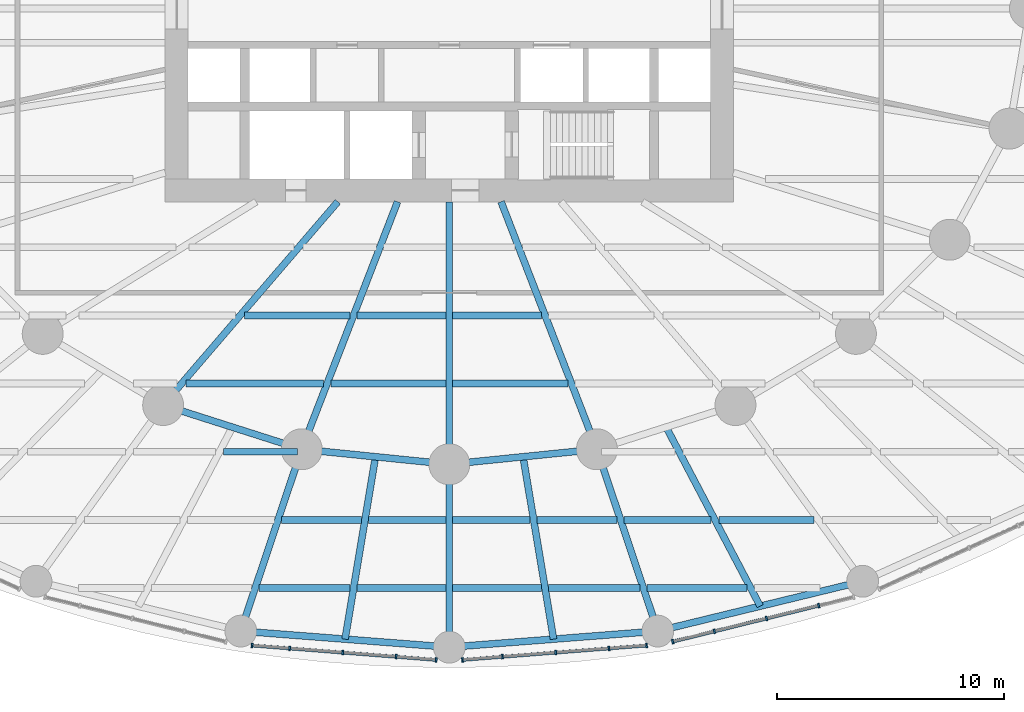
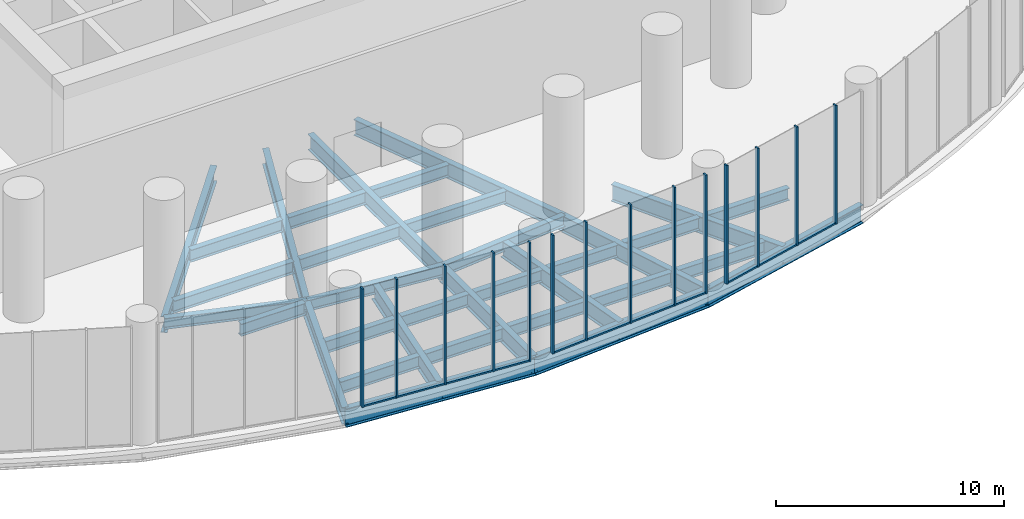
# One storey, part 4 of 22: 34 beams, 25 members, 3 elements without a shape of their own.
"""IFC4 building model written with IfcOpenShell, lengths in metres."""

from ifc_helpers import new_model, si_unit, direction, frame, origin, origin_2d, place, context, subcontext, project, spatial, rectangle, i_section, extrude, material, material_profile, profile_set, type_object, element, aggregate, save


model = new_model("IFC4")

# Units and contexts
model_context = context("Model", 3, precision=1e-05, world=origin(), true_north=direction((0.0, 1.0)))
body_context = subcontext(model_context, "Body", "Model", "MODEL_VIEW")
ifc_project = project(units=[si_unit("LENGTHUNIT", "METRE"), si_unit("AREAUNIT", "SQUARE_METRE"), si_unit("VOLUMEUNIT", "CUBIC_METRE"), si_unit("PLANEANGLEUNIT", "RADIAN"), si_unit("MASSUNIT", "GRAM", prefix="KILO")], contexts=[model_context])

# Site, building, storey
site_placement = place(None, origin())
site = spatial("IfcSite", under=ifc_project, at=site_placement, CompositionType="ELEMENT")
building_placement = place(site_placement, origin())
building = spatial("IfcBuilding", under=site, at=building_placement, Name="Hankou Lantern Tower", CompositionType="ELEMENT")
storey_placement = place(building_placement, frame((0.0, 0.0, 7.199951171875)))
storey = spatial("IfcBuildingStorey", under=building, at=storey_placement, Name="L01", CompositionType="ELEMENT", Elevation=7.199951171875)

# Beams
ifc_material_1 = material(Name="Steel Q355B", Category="steel")
ifc_material_profile_1 = material_profile(ifc_material_1, i_section(OverallWidth=0.300048828125, OverallDepth=0.587890625, WebThickness=0.011962890625, FlangeThickness=0.02001953125, FilletRadius=0.01806640625, at=origin_2d()), Name="HM588x300x12x20")
ifc_profile_set_1 = profile_set([ifc_material_profile_1], Name="Steel Q355B")
beam_type_1 = type_object("IfcBeamType", Name="EB16 RING BEAM HM588x300x12x20", PredefinedType="SPANDREL", material=ifc_profile_set_1)
beam_1_placement = place(storey_placement, frame((-12.5908203125, -17.446533203125, -0.5439453125), z_axis=(0.952690479428, -0.303942182671, 0.0), x_axis=(0.303942182671, 0.952690479428, 0.0)))
element("IfcBeam", 1, at=beam_1_placement, inside=storey, type_object=beam_type_1, Name="Ring beam R17-R18 L01", PredefinedType="SPANDREL", context=body_context, shape_type="SweptSolid", body=[
    extrude(i_section(OverallWidth=0.300048828125, OverallDepth=0.587890625, WebThickness=0.011962890625, FlangeThickness=0.02001953125, FilletRadius=0.01806640625, at=origin_2d()), origin(), (0.0, 0.0, 1.0), 6.398681640625),
])
for number, where, z_axis, x_axis, name in (
    (2, (-6.494873046875, -19.391357421875, -0.5439453125), (0.994896616842, -0.100899562915, 0.0), (0.100899562915, 0.994896616842, 0.0), "Ring beam R18-R19 L01"),
    (3, (0.0, -20.050048828125, -0.5439453125), (0.994896616842, 0.100899562915, 0.0), (-0.100899562915, 0.994896616842, 0.0), "Ring beam R19-R20 L01"),
):
    element("IfcBeam", number, at=place(storey_placement, frame(where, z_axis=z_axis, x_axis=x_axis)), inside=storey, type_object=beam_type_1, Name=name, PredefinedType="SPANDREL", context=body_context, shape_type="SweptSolid", body=[
        extrude(i_section(OverallWidth=0.300048828125, OverallDepth=0.587890625, WebThickness=0.011962890625, FlangeThickness=0.02001953125, FilletRadius=0.01806640625, at=origin_2d()), origin(), (0.0, 0.0, 1.0), 6.528076171875),
    ])

# Curtain wall, members
ifc_material_2 = material(Name="Glass, dark grey tinted laminated", Category="glass")
curtain_wall_type = type_object("IfcCurtainWallType", Name="CWP PODIUM CURTAIN WALL", PredefinedType="USERDEFINED", material=ifc_material_2)
curtain_wall_1_placement = place(storey_placement, origin())
curtain_wall_1 = element("IfcCurtainWall", 4, at=curtain_wall_1_placement, inside=storey, type_object=curtain_wall_type, Name="CWP L01 PC14", ObjectType="PODIUM GLAZING", PredefinedType="USERDEFINED")
ifc_material_3 = material(Name="Aluminium, black anodised", Category="aluminium")
ifc_material_profile_2 = material_profile(ifc_material_3, rectangle(XDim=0.080078125, YDim=0.199951171875, at=origin_2d()), Name="MU2 80X200")
ifc_profile_set_2 = profile_set([ifc_material_profile_2], Name="Aluminium, black anodised")
member_type_1 = type_object("IfcMemberType", Name="MU2 PODIUM MULLION 80X200", PredefinedType="MULLION", material=ifc_profile_set_2)
member_1_placement = place(storey_placement, frame((-8.678955078125, -28.0205078125, 0.0), z_axis=(0.0, 0.0, 1.0), x_axis=(0.996948515213, -0.078061885796, 0.0)))
member_1 = element("IfcMember", 5, at=member_1_placement, type_object=member_type_1, Name="CWP mullion 1", PredefinedType="MULLION", context=body_context, shape_type="SweptSolid", body=[
    extrude(rectangle(XDim=0.080078125, YDim=0.199951171875, at=origin_2d()), origin(), (0.0, 0.0, 1.0), 6.35009765625),
])
member_2_placement = place(storey_placement, frame((-7.025146484375, -28.14990234375, 0.0), z_axis=(0.0, 0.0, 1.0), x_axis=(0.996948515213, -0.078061885796, 0.0)))
member_2 = element("IfcMember", 6, at=member_2_placement, type_object=member_type_1, Name="CWP mullion 2", PredefinedType="MULLION", context=body_context, shape_type="SweptSolid", body=[
    extrude(rectangle(XDim=0.080078125, YDim=0.199951171875, at=origin_2d()), origin(), (0.0, 0.0, 1.0), 6.35009765625),
])
member_3_placement = place(storey_placement, frame((-4.68359375, -28.333251953125, 0.0), z_axis=(0.0, 0.0, 1.0), x_axis=(0.996948515213, -0.078061885796, 0.0)))
member_3 = element("IfcMember", 7, at=member_3_placement, type_object=member_type_1, Name="CWP mullion 3", PredefinedType="MULLION", context=body_context, shape_type="SweptSolid", body=[
    extrude(rectangle(XDim=0.080078125, YDim=0.199951171875, at=origin_2d()), origin(), (0.0, 0.0, 1.0), 6.35009765625),
])
member_4_placement = place(storey_placement, frame((-2.341796875, -28.5166015625, 0.0), z_axis=(0.0, 0.0, 1.0), x_axis=(0.996948515213, -0.078061885796, 0.0)))
member_4 = element("IfcMember", 8, at=member_4_placement, type_object=member_type_1, Name="CWP mullion 4", PredefinedType="MULLION", context=body_context, shape_type="SweptSolid", body=[
    extrude(rectangle(XDim=0.080078125, YDim=0.199951171875, at=origin_2d()), origin(), (0.0, 0.0, 1.0), 6.35009765625),
])
member_5_placement = place(storey_placement, frame((-0.578857421875, -28.65478515625, 0.0), z_axis=(0.0, 0.0, 1.0), x_axis=(0.996948515213, -0.078061885796, 0.0)))
member_5 = element("IfcMember", 9, at=member_5_placement, type_object=member_type_1, Name="CWP mullion 5", PredefinedType="MULLION", context=body_context, shape_type="SweptSolid", body=[
    extrude(rectangle(XDim=0.080078125, YDim=0.199951171875, at=origin_2d()), origin(), (0.0, 0.0, 1.0), 6.35009765625),
])

curtain_wall_2_placement = place(storey_placement, origin())
curtain_wall_2 = element("IfcCurtainWall", 10, at=curtain_wall_2_placement, inside=storey, type_object=curtain_wall_type, Name="CWP L01 PC15", ObjectType="PODIUM GLAZING", PredefinedType="USERDEFINED")
member_6_placement = place(storey_placement, frame((0.578857421875, -28.65478515625, 0.0), z_axis=(0.0, 0.0, 1.0), x_axis=(0.996948515213, 0.078061885796, 0.0)))
member_6 = element("IfcMember", 11, at=member_6_placement, type_object=member_type_1, Name="CWP mullion 1", PredefinedType="MULLION", context=body_context, shape_type="SweptSolid", body=[
    extrude(rectangle(XDim=0.080078125, YDim=0.199951171875, at=origin_2d()), origin(), (0.0, 0.0, 1.0), 6.35009765625),
])
member_7_placement = place(storey_placement, frame((2.341796875, -28.5166015625, 0.0), z_axis=(0.0, 0.0, 1.0), x_axis=(0.996948515213, 0.078061885796, 0.0)))
member_7 = element("IfcMember", 12, at=member_7_placement, type_object=member_type_1, Name="CWP mullion 2", PredefinedType="MULLION", context=body_context, shape_type="SweptSolid", body=[
    extrude(rectangle(XDim=0.080078125, YDim=0.199951171875, at=origin_2d()), origin(), (0.0, 0.0, 1.0), 6.35009765625),
])
member_8_placement = place(storey_placement, frame((4.68359375, -28.333251953125, 0.0), z_axis=(0.0, 0.0, 1.0), x_axis=(0.996948515213, 0.078061885796, 0.0)))
member_8 = element("IfcMember", 13, at=member_8_placement, type_object=member_type_1, Name="CWP mullion 3", PredefinedType="MULLION", context=body_context, shape_type="SweptSolid", body=[
    extrude(rectangle(XDim=0.080078125, YDim=0.199951171875, at=origin_2d()), origin(), (0.0, 0.0, 1.0), 6.35009765625),
])
member_9_placement = place(storey_placement, frame((7.025146484375, -28.14990234375, 0.0), z_axis=(0.0, 0.0, 1.0), x_axis=(0.996948515213, 0.078061885796, 0.0)))
member_9 = element("IfcMember", 14, at=member_9_placement, type_object=member_type_1, Name="CWP mullion 4", PredefinedType="MULLION", context=body_context, shape_type="SweptSolid", body=[
    extrude(rectangle(XDim=0.080078125, YDim=0.199951171875, at=origin_2d()), origin(), (0.0, 0.0, 1.0), 6.35009765625),
])
member_10_placement = place(storey_placement, frame((8.678955078125, -28.0205078125, 0.0), z_axis=(0.0, 0.0, 1.0), x_axis=(0.996948515213, 0.078061885796, 0.0)))
member_10 = element("IfcMember", 15, at=member_10_placement, type_object=member_type_1, Name="CWP mullion 5", PredefinedType="MULLION", context=body_context, shape_type="SweptSolid", body=[
    extrude(rectangle(XDim=0.080078125, YDim=0.199951171875, at=origin_2d()), origin(), (0.0, 0.0, 1.0), 6.35009765625),
])

curtain_wall_3_placement = place(storey_placement, origin())
curtain_wall_3 = element("IfcCurtainWall", 16, at=curtain_wall_3_placement, inside=storey, type_object=curtain_wall_type, Name="CWP L01 PC16", ObjectType="PODIUM GLAZING", PredefinedType="USERDEFINED")
member_11_placement = place(storey_placement, frame((9.83056640625, -27.852294921875, 0.0), z_axis=(0.0, 0.0, 1.0), x_axis=(0.970960955091, 0.239238006364, 0.0)))
member_11 = element("IfcMember", 17, at=member_11_placement, type_object=member_type_1, Name="CWP mullion 1", PredefinedType="MULLION", context=body_context, shape_type="SweptSolid", body=[
    extrude(rectangle(XDim=0.080078125, YDim=0.199951171875, at=origin_2d()), origin(), (0.0, 0.0, 1.0), 6.35009765625),
])
member_12_placement = place(storey_placement, frame((11.662841796875, -27.40087890625, 0.0), z_axis=(0.0, 0.0, 1.0), x_axis=(0.970960955091, 0.239238006364, 0.0)))
member_12 = element("IfcMember", 18, at=member_12_placement, type_object=member_type_1, Name="CWP mullion 2", PredefinedType="MULLION", context=body_context, shape_type="SweptSolid", body=[
    extrude(rectangle(XDim=0.080078125, YDim=0.199951171875, at=origin_2d()), origin(), (0.0, 0.0, 1.0), 6.35009765625),
])
member_13_placement = place(storey_placement, frame((13.95849609375, -26.835205078125, 0.0), z_axis=(0.0, 0.0, 1.0), x_axis=(0.970960955091, 0.239238006364, 0.0)))
member_13 = element("IfcMember", 19, at=member_13_placement, type_object=member_type_1, Name="CWP mullion 3", PredefinedType="MULLION", context=body_context, shape_type="SweptSolid", body=[
    extrude(rectangle(XDim=0.080078125, YDim=0.199951171875, at=origin_2d()), origin(), (0.0, 0.0, 1.0), 6.35009765625),
])
member_14_placement = place(storey_placement, frame((16.25439453125, -26.26953125, 0.0), z_axis=(0.0, 0.0, 1.0), x_axis=(0.970960955091, 0.239238006364, 0.0)))
member_14 = element("IfcMember", 20, at=member_14_placement, type_object=member_type_1, Name="CWP mullion 4", PredefinedType="MULLION", context=body_context, shape_type="SweptSolid", body=[
    extrude(rectangle(XDim=0.080078125, YDim=0.199951171875, at=origin_2d()), origin(), (0.0, 0.0, 1.0), 6.35009765625),
])

# Beams
ifc_material_4 = material(Name="Steel Q355B", Category="steel")
ifc_material_profile_3 = material_profile(ifc_material_4, i_section(OverallWidth=0.300048828125, OverallDepth=0.89990234375, WebThickness=0.01611328125, FlangeThickness=0.028076171875, FilletRadius=0.01806640625, at=origin_2d()), Name="HN900x300x16x28")
ifc_profile_set_3 = profile_set([ifc_material_profile_3], Name="Steel Q355B")
beam_type_2 = type_object("IfcBeamType", Name="PB13 PODIUM RADIAL BEAM HN900x300x16x28", PredefinedType="BEAM", material=ifc_profile_set_3)
beam_2_placement = place(storey_placement, frame((-6.494873046875, -19.391357421875, -0.699951171875), z_axis=(-0.317599116391, -0.948225079434, 0.0), x_axis=(0.948225079434, -0.317599116391, 0.0)))
element("IfcBeam", 21, at=beam_2_placement, inside=storey, type_object=beam_type_2, Name="Podium radial beam R18 L01", PredefinedType="BEAM", context=body_context, shape_type="SweptSolid", body=[
    extrude(i_section(OverallWidth=0.300048828125, OverallDepth=0.89990234375, WebThickness=0.01611328125, FlangeThickness=0.028076171875, FilletRadius=0.01806640625, at=origin_2d()), origin(), (0.0, 0.0, 1.0), 8.4365234375),
])
beam_3_placement = place(storey_placement, frame((0.0, -20.050048828125, -0.699951171875), z_axis=(0.0, -1.0, 0.0), x_axis=(1.0, 0.0, 0.0)))
element("IfcBeam", 22, at=beam_3_placement, inside=storey, type_object=beam_type_2, Name="Podium radial beam R19 L01", PredefinedType="BEAM", context=body_context, shape_type="SweptSolid", body=[
    extrude(i_section(OverallWidth=0.300048828125, OverallDepth=0.89990234375, WebThickness=0.01611328125, FlangeThickness=0.028076171875, FilletRadius=0.01806640625, at=origin_2d()), origin(), (0.0, 0.0, 1.0), 8.050048828125),
])
beam_4_placement = place(storey_placement, frame((6.494873046875, -19.391357421875, -0.699951171875), z_axis=(0.317599116391, -0.948225079434, 0.0), x_axis=(0.948225079434, 0.317599116391, 0.0)))
element("IfcBeam", 23, at=beam_4_placement, inside=storey, type_object=beam_type_2, Name="Podium radial beam R20 L01", PredefinedType="BEAM", context=body_context, shape_type="SweptSolid", body=[
    extrude(i_section(OverallWidth=0.300048828125, OverallDepth=0.89990234375, WebThickness=0.01611328125, FlangeThickness=0.028076171875, FilletRadius=0.01806640625, at=origin_2d()), origin(), (0.0, 0.0, 1.0), 8.4365234375),
])
ifc_material_5 = material(Name="Steel Q355B", Category="steel")
ifc_material_profile_4 = material_profile(ifc_material_5, i_section(OverallWidth=0.300048828125, OverallDepth=1.0, WebThickness=0.01904296875, FlangeThickness=0.035888671875, FilletRadius=0.01806640625, at=origin_2d()), Name="HN1000x300x19x36")
ifc_profile_set_4 = profile_set([ifc_material_profile_4], Name="Steel Q355B")
beam_type_3 = type_object("IfcBeamType", Name="PR22 PODIUM RING BEAM HN1000x300x19x36", PredefinedType="BEAM", material=ifc_profile_set_4)
for number, where, z_axis, x_axis, name in (
    (24, (-9.17431640625, -27.39111328125, -0.75), (0.997027266507, -0.077049528499, 0.0), (0.077049528499, 0.997027266507, 0.0), "Podium ring beam R18-R19 L01"),
    (25, (0.0, -28.10009765625, -0.75), (0.997027266507, 0.077049528499, 0.0), (-0.077049528499, 0.997027266507, 0.0), "Podium ring beam R19-R20 L01"),
):
    element("IfcBeam", number, at=place(storey_placement, frame(where, z_axis=z_axis, x_axis=x_axis)), inside=storey, type_object=beam_type_3, Name=name, PredefinedType="BEAM", context=body_context, shape_type="SweptSolid", body=[
        extrude(i_section(OverallWidth=0.300048828125, OverallDepth=1.0, WebThickness=0.01904296875, FlangeThickness=0.035888671875, FilletRadius=0.01806640625, at=origin_2d()), origin(), (0.0, 0.0, 1.0), 9.20166015625),
    ])
beam_5_placement = place(storey_placement, frame((9.17431640625, -27.39111328125, -0.75), z_axis=(0.971677242441, 0.23631194748, 0.0), x_axis=(-0.23631194748, 0.971677242441, 0.0)))
element("IfcBeam", 26, at=beam_5_placement, inside=storey, type_object=beam_type_3, Name="Podium ring beam R20-R21 L01", PredefinedType="BEAM", context=body_context, shape_type="SweptSolid", body=[
    extrude(i_section(OverallWidth=0.300048828125, OverallDepth=1.0, WebThickness=0.01904296875, FlangeThickness=0.035888671875, FilletRadius=0.01806640625, at=origin_2d()), origin(), (0.0, 0.0, 1.0), 9.2744140625),
])
ifc_material_6 = material(Name="Steel Q355B", Category="steel")
ifc_material_profile_5 = material_profile(ifc_material_6, i_section(OverallWidth=0.300048828125, OverallDepth=0.89990234375, WebThickness=0.01611328125, FlangeThickness=0.028076171875, FilletRadius=0.01806640625, at=origin_2d()), Name="HN900x300x16x28")
ifc_profile_set_5 = profile_set([ifc_material_profile_5], Name="Steel Q355B")
beam_type_4 = type_object("IfcBeamType", Name="PS13 PODIUM SECONDARY BEAM HN900x300x16x28", PredefinedType="JOIST", material=ifc_profile_set_5)
for number, where, z_axis, x_axis, name in (
    (27, (-3.24755859375, -19.720703125, -0.699951171875), (-0.164652019445, -0.986351718452, 0.0), (0.986351718452, -0.164652019445, 0.0), "Podium secondary beam bay R18 L01"),
    (28, (3.24755859375, -19.720703125, -0.699951171875), (0.164652019445, -0.986351718452, 0.0), (0.986351718452, 0.164652019445, 0.0), "Podium secondary beam bay R19 L01"),
):
    element("IfcBeam", number, at=place(storey_placement, frame(where, z_axis=z_axis, x_axis=x_axis)), inside=storey, type_object=beam_type_4, Name=name, PredefinedType="JOIST", context=body_context, shape_type="SweptSolid", body=[
        extrude(i_section(OverallWidth=0.300048828125, OverallDepth=0.89990234375, WebThickness=0.01611328125, FlangeThickness=0.028076171875, FilletRadius=0.01806640625, at=origin_2d()), origin(), (0.0, 0.0, 1.0), 8.135986328125),
    ])
beam_6_placement = place(storey_placement, frame((9.54296875, -18.4189453125, -0.699951171875), z_axis=(0.465026961303, -0.88529651827, 0.0), x_axis=(0.88529651827, 0.465026961303, 0.0)))
element("IfcBeam", 29, at=beam_6_placement, inside=storey, type_object=beam_type_4, Name="Podium secondary beam bay R20 L01", PredefinedType="JOIST", context=body_context, shape_type="SweptSolid", body=[
    extrude(i_section(OverallWidth=0.300048828125, OverallDepth=0.89990234375, WebThickness=0.01611328125, FlangeThickness=0.028076171875, FilletRadius=0.01806640625, at=origin_2d()), origin(), (0.0, 0.0, 1.0), 8.896728515625),
])
ifc_material_7 = material(Name="Steel Q355B", Category="steel")
ifc_material_profile_6 = material_profile(ifc_material_7, i_section(OverallWidth=0.300048828125, OverallDepth=0.85009765625, WebThickness=0.01611328125, FlangeThickness=0.027099609375, FilletRadius=0.01806640625, at=origin_2d()), Name="HN850x300x16x27")
ifc_profile_set_6 = profile_set([ifc_material_profile_6], Name="Steel Q355B")
beam_type_5 = type_object("IfcBeamType", Name="RB12 RADIAL BEAM HN850x300x16x27", PredefinedType="BEAM", material=ifc_profile_set_6)
beam_7_placement = place(storey_placement, frame((-4.907470703125, -8.5, -0.675048828125), z_axis=(-0.651519061225, -0.758632264579, 0.0), x_axis=(0.758632264579, -0.651519061225, 0.0)))
element("IfcBeam", 30, at=beam_7_placement, inside=storey, type_object=beam_type_5, Name="Radial beam R17 L01", PredefinedType="BEAM", context=body_context, shape_type="SweptSolid", body=[
    extrude(i_section(OverallWidth=0.300048828125, OverallDepth=0.85009765625, WebThickness=0.01611328125, FlangeThickness=0.027099609375, FilletRadius=0.01806640625, at=origin_2d()), origin(), (0.0, 0.0, 1.0), 11.79296875),
])
beam_8_placement = place(storey_placement, frame((-2.277587890625, -8.5, -0.675048828125), z_axis=(-0.361089103374, -0.932531318201, 0.0), x_axis=(0.932531318201, -0.361089103374, 0.0)))
element("IfcBeam", 31, at=beam_8_placement, inside=storey, type_object=beam_type_5, Name="Radial beam R18 L01", PredefinedType="BEAM", context=body_context, shape_type="SweptSolid", body=[
    extrude(i_section(OverallWidth=0.300048828125, OverallDepth=0.85009765625, WebThickness=0.01611328125, FlangeThickness=0.027099609375, FilletRadius=0.01806640625, at=origin_2d()), origin(), (0.0, 0.0, 1.0), 11.679443359375),
])
beam_9_placement = place(storey_placement, frame((0.0, -8.5, -0.675048828125), z_axis=(0.0, -1.0, 0.0), x_axis=(1.0, 0.0, 0.0)))
element("IfcBeam", 32, at=beam_9_placement, inside=storey, type_object=beam_type_5, Name="Radial beam R19 L01", PredefinedType="BEAM", context=body_context, shape_type="SweptSolid", body=[
    extrude(i_section(OverallWidth=0.300048828125, OverallDepth=0.85009765625, WebThickness=0.01611328125, FlangeThickness=0.027099609375, FilletRadius=0.01806640625, at=origin_2d()), origin(), (0.0, 0.0, 1.0), 11.550048828125),
])
beam_10_placement = place(storey_placement, frame((2.277587890625, -8.5, -0.675048828125), z_axis=(0.361089103374, -0.932531318201, 0.0), x_axis=(0.932531318201, 0.361089103374, 0.0)))
element("IfcBeam", 33, at=beam_10_placement, inside=storey, type_object=beam_type_5, Name="Radial beam R20 L01", PredefinedType="BEAM", context=body_context, shape_type="SweptSolid", body=[
    extrude(i_section(OverallWidth=0.300048828125, OverallDepth=0.85009765625, WebThickness=0.01611328125, FlangeThickness=0.027099609375, FilletRadius=0.01806640625, at=origin_2d()), origin(), (0.0, 0.0, 1.0), 11.679443359375),
])
ifc_material_8 = material(Name="Steel Q355B", Category="steel")
ifc_material_profile_7 = material_profile(ifc_material_8, i_section(OverallWidth=0.300048828125, OverallDepth=0.64990234375, WebThickness=0.010986328125, FlangeThickness=0.01708984375, FilletRadius=0.01806640625, at=origin_2d()), Name="HN650x300x11x17")
ifc_profile_set_7 = profile_set([ifc_material_profile_7], Name="Steel Q355B")
beam_type_6 = type_object("IfcBeamType", Name="SB8 SECONDARY BEAM HN650x300x11x17", PredefinedType="JOIST", material=ifc_profile_set_7)
beam_11_placement = place(storey_placement, frame((-8.3828125, -25.5, -0.574951171875), z_axis=(1.0, 0.0, 0.0), x_axis=(0.0, 1.0, 0.0)))
element("IfcBeam", 34, at=beam_11_placement, inside=storey, type_object=beam_type_6, Name="Floor joist J003 L01", PredefinedType="JOIST", context=body_context, shape_type="SweptSolid", body=[
    extrude(i_section(OverallWidth=0.300048828125, OverallDepth=0.64990234375, WebThickness=0.010986328125, FlangeThickness=0.01708984375, FilletRadius=0.01806640625, at=origin_2d()), origin(), (0.0, 0.0, 1.0), 4.0185546875),
])
for number, where, z_axis, x_axis, name in (
    (35, (-4.060302734375, -25.5, -0.574951171875), (1.0, 0.0, 0.0), (0.0, 1.0, 0.0), "Floor joist J004 L01"),
    (36, (0.14990234375, -25.5, -0.574951171875), (1.0, 0.0, 0.0), (0.0, 1.0, 0.0), "Floor joist J005 L01"),
):
    element("IfcBeam", number, at=place(storey_placement, frame(where, z_axis=z_axis, x_axis=x_axis)), inside=storey, type_object=beam_type_6, Name=name, PredefinedType="JOIST", context=body_context, shape_type="SweptSolid", body=[
        extrude(i_section(OverallWidth=0.300048828125, OverallDepth=0.64990234375, WebThickness=0.010986328125, FlangeThickness=0.01708984375, FilletRadius=0.01806640625, at=origin_2d()), origin(), (0.0, 0.0, 1.0), 3.910400390625),
    ])
beam_12_placement = place(storey_placement, frame((4.3642578125, -25.5, -0.574951171875), z_axis=(1.0, 0.0, 0.0), x_axis=(0.0, 1.0, 0.0)))
element("IfcBeam", 37, at=beam_12_placement, inside=storey, type_object=beam_type_6, Name="Floor joist J006 L01", PredefinedType="JOIST", context=body_context, shape_type="SweptSolid", body=[
    extrude(i_section(OverallWidth=0.300048828125, OverallDepth=0.64990234375, WebThickness=0.010986328125, FlangeThickness=0.01708984375, FilletRadius=0.01806640625, at=origin_2d()), origin(), (0.0, 0.0, 1.0), 4.0185546875),
])
beam_13_placement = place(storey_placement, frame((8.698974609375, -25.5, -0.574951171875), z_axis=(1.0, 0.0, 0.0), x_axis=(0.0, 1.0, 0.0)))
element("IfcBeam", 38, at=beam_13_placement, inside=storey, type_object=beam_type_6, Name="Floor joist J007 L01", PredefinedType="JOIST", context=body_context, shape_type="SweptSolid", body=[
    extrude(i_section(OverallWidth=0.300048828125, OverallDepth=0.64990234375, WebThickness=0.010986328125, FlangeThickness=0.01708984375, FilletRadius=0.01806640625, at=origin_2d()), origin(), (0.0, 0.0, 1.0), 4.39404296875),
])
beam_14_placement = place(storey_placement, frame((-7.3779296875, -22.5, -0.574951171875), z_axis=(1.0, 0.0, 0.0), x_axis=(0.0, 1.0, 0.0)))
element("IfcBeam", 39, at=beam_14_placement, inside=storey, type_object=beam_type_6, Name="Floor joist J013 L01", PredefinedType="JOIST", context=body_context, shape_type="SweptSolid", body=[
    extrude(i_section(OverallWidth=0.300048828125, OverallDepth=0.64990234375, WebThickness=0.010986328125, FlangeThickness=0.01708984375, FilletRadius=0.01806640625, at=origin_2d()), origin(), (0.0, 0.0, 1.0), 3.514404296875),
])
for number, where, z_axis, x_axis, name in (
    (40, (-3.559326171875, -22.5, -0.574951171875), (1.0, 0.0, 0.0), (0.0, 1.0, 0.0), "Floor joist J014 L01"),
    (41, (0.14990234375, -22.5, -0.574951171875), (1.0, 0.0, 0.0), (0.0, 1.0, 0.0), "Floor joist J015 L01"),
):
    element("IfcBeam", number, at=place(storey_placement, frame(where, z_axis=z_axis, x_axis=x_axis)), inside=storey, type_object=beam_type_6, Name=name, PredefinedType="JOIST", context=body_context, shape_type="SweptSolid", body=[
        extrude(i_section(OverallWidth=0.300048828125, OverallDepth=0.64990234375, WebThickness=0.010986328125, FlangeThickness=0.01708984375, FilletRadius=0.01806640625, at=origin_2d()), origin(), (0.0, 0.0, 1.0), 3.409423828125),
    ])
beam_15_placement = place(storey_placement, frame((3.863525390625, -22.5, -0.574951171875), z_axis=(1.0, 0.0, 0.0), x_axis=(0.0, 1.0, 0.0)))
element("IfcBeam", 42, at=beam_15_placement, inside=storey, type_object=beam_type_6, Name="Floor joist J016 L01", PredefinedType="JOIST", context=body_context, shape_type="SweptSolid", body=[
    extrude(i_section(OverallWidth=0.300048828125, OverallDepth=0.64990234375, WebThickness=0.010986328125, FlangeThickness=0.01708984375, FilletRadius=0.01806640625, at=origin_2d()), origin(), (0.0, 0.0, 1.0), 3.514404296875),
])
beam_16_placement = place(storey_placement, frame((7.6943359375, -22.5, -0.574951171875), z_axis=(1.0, 0.0, 0.0), x_axis=(0.0, 1.0, 0.0)))
element("IfcBeam", 43, at=beam_16_placement, inside=storey, type_object=beam_type_6, Name="Floor joist J017 L01", PredefinedType="JOIST", context=body_context, shape_type="SweptSolid", body=[
    extrude(i_section(OverallWidth=0.300048828125, OverallDepth=0.64990234375, WebThickness=0.010986328125, FlangeThickness=0.01708984375, FilletRadius=0.01806640625, at=origin_2d()), origin(), (0.0, 0.0, 1.0), 3.82275390625),
])
beam_17_placement = place(storey_placement, frame((11.85595703125, -22.5, -0.574951171875), z_axis=(1.0, 0.0, 0.0), x_axis=(0.0, 1.0, 0.0)))
element("IfcBeam", 44, at=beam_17_placement, inside=storey, type_object=beam_type_6, Name="Floor joist J018 L01", PredefinedType="JOIST", context=body_context, shape_type="SweptSolid", body=[
    extrude(i_section(OverallWidth=0.300048828125, OverallDepth=0.64990234375, WebThickness=0.010986328125, FlangeThickness=0.01708984375, FilletRadius=0.01806640625, at=origin_2d()), origin(), (0.0, 0.0, 1.0), 4.197021484375),
])
beam_18_placement = place(storey_placement, frame((-9.94140625, -19.5, -0.574951171875), z_axis=(1.0, 0.0, 0.0), x_axis=(0.0, 1.0, 0.0)))
element("IfcBeam", 45, at=beam_18_placement, inside=storey, type_object=beam_type_6, Name="Floor joist J025 L01", PredefinedType="JOIST", context=body_context, shape_type="SweptSolid", body=[
    extrude(i_section(OverallWidth=0.300048828125, OverallDepth=0.64990234375, WebThickness=0.010986328125, FlangeThickness=0.01708984375, FilletRadius=0.01806640625, at=origin_2d()), origin(), (0.0, 0.0, 1.0), 3.251953125),
])
beam_19_placement = place(storey_placement, frame((-11.580322265625, -16.5, -0.574951171875), z_axis=(1.0, 0.0, 0.0), x_axis=(0.0, 1.0, 0.0)))
element("IfcBeam", 46, at=beam_19_placement, inside=storey, type_object=beam_type_6, Name="Floor joist J037 L01", PredefinedType="JOIST", context=body_context, shape_type="SweptSolid", body=[
    extrude(i_section(OverallWidth=0.300048828125, OverallDepth=0.64990234375, WebThickness=0.010986328125, FlangeThickness=0.01708984375, FilletRadius=0.01806640625, at=origin_2d()), origin(), (0.0, 0.0, 1.0), 6.044189453125),
])
for number, where, z_axis, x_axis, name in (
    (47, (-5.21435546875, -16.5, -0.574951171875), (1.0, 0.0, 0.0), (0.0, 1.0, 0.0), "Floor joist J038 L01"),
    (48, (0.14990234375, -16.5, -0.574951171875), (1.0, 0.0, 0.0), (0.0, 1.0, 0.0), "Floor joist J039 L01"),
):
    element("IfcBeam", number, at=place(storey_placement, frame(where, z_axis=z_axis, x_axis=x_axis)), inside=storey, type_object=beam_type_6, Name=name, PredefinedType="JOIST", context=body_context, shape_type="SweptSolid", body=[
        extrude(i_section(OverallWidth=0.300048828125, OverallDepth=0.64990234375, WebThickness=0.010986328125, FlangeThickness=0.01708984375, FilletRadius=0.01806640625, at=origin_2d()), origin(), (0.0, 0.0, 1.0), 5.064453125),
    ])
beam_20_placement = place(storey_placement, frame((-9.00390625, -13.5, -0.574951171875), z_axis=(1.0, 0.0, 0.0), x_axis=(0.0, 1.0, 0.0)))
element("IfcBeam", 49, at=beam_20_placement, inside=storey, type_object=beam_type_6, Name="Floor joist J050 L01", PredefinedType="JOIST", context=body_context, shape_type="SweptSolid", body=[
    extrude(i_section(OverallWidth=0.300048828125, OverallDepth=0.64990234375, WebThickness=0.010986328125, FlangeThickness=0.01708984375, FilletRadius=0.01806640625, at=origin_2d()), origin(), (0.0, 0.0, 1.0), 4.62939453125),
])
for number, where, z_axis, x_axis, name in (
    (50, (-4.052734375, -13.5, -0.574951171875), (1.0, 0.0, 0.0), (0.0, 1.0, 0.0), "Floor joist J051 L01"),
    (51, (0.14990234375, -13.5, -0.574951171875), (1.0, 0.0, 0.0), (0.0, 1.0, 0.0), "Floor joist J052 L01"),
):
    element("IfcBeam", number, at=place(storey_placement, frame(where, z_axis=z_axis, x_axis=x_axis)), inside=storey, type_object=beam_type_6, Name=name, PredefinedType="JOIST", context=body_context, shape_type="SweptSolid", body=[
        extrude(i_section(OverallWidth=0.300048828125, OverallDepth=0.64990234375, WebThickness=0.010986328125, FlangeThickness=0.01708984375, FilletRadius=0.01806640625, at=origin_2d()), origin(), (0.0, 0.0, 1.0), 3.90283203125),
    ])

# Member
ifc_material_9 = material(Name="Aluminium, black anodised", Category="aluminium")
ifc_material_profile_8 = material_profile(ifc_material_9, rectangle(XDim=0.14990234375, YDim=0.080078125, at=origin_2d()), Name="TR2 150X80")
ifc_profile_set_8 = profile_set([ifc_material_profile_8], Name="Aluminium, black anodised")
member_type_2 = type_object("IfcMemberType", Name="TR2 PODIUM TRANSOM 150X80", PredefinedType="USERDEFINED", material=ifc_profile_set_8)
member_15_placement = place(storey_placement, frame((-8.638916015625, -28.023681640625, 0.0400390625), z_axis=(0.996957260436, -0.077950117788, 0.0), x_axis=(0.077950117788, 0.996957260436, 0.0)))
member_15 = element("IfcMember", 52, at=member_15_placement, type_object=member_type_2, Name="CWP transom 1", ObjectType="TRANSOM", PredefinedType="USERDEFINED", context=body_context, shape_type="SweptSolid", body=[
    extrude(rectangle(XDim=0.14990234375, YDim=0.080078125, at=origin_2d()), origin(), (0.0, 0.0, 1.0), 1.57861328125),
])

member_16_placement = place(storey_placement, frame((-6.9853515625, -28.153076171875, 0.0400390625), z_axis=(0.996952341782, -0.078013000301, 0.0), x_axis=(0.078013000301, 0.996952341782, 0.0)))
member_16 = element("IfcMember", 53, at=member_16_placement, type_object=member_type_2, Name="CWP transom 2", ObjectType="TRANSOM", PredefinedType="USERDEFINED", context=body_context, shape_type="SweptSolid", body=[
    extrude(rectangle(XDim=0.14990234375, YDim=0.080078125, at=origin_2d()), origin(), (0.0, 0.0, 1.0), 2.268798828125),
])

member_17_placement = place(storey_placement, frame((-4.6435546875, -28.33642578125, 0.0400390625), z_axis=(0.996952341782, -0.078013000301, 0.0), x_axis=(0.078013000301, 0.996952341782, 0.0)))
member_17 = element("IfcMember", 54, at=member_17_placement, type_object=member_type_2, Name="CWP transom 3", ObjectType="TRANSOM", PredefinedType="USERDEFINED", context=body_context, shape_type="SweptSolid", body=[
    extrude(rectangle(XDim=0.14990234375, YDim=0.080078125, at=origin_2d()), origin(), (0.0, 0.0, 1.0), 2.268798828125),
])

member_18_placement = place(storey_placement, frame((-2.3017578125, -28.519775390625, 0.0400390625), z_axis=(0.996946329832, -0.078089790848, 0.0), x_axis=(0.078089790848, 0.996946329832, 0.0)))
member_18 = element("IfcMember", 55, at=member_18_placement, type_object=member_type_2, Name="CWP transom 4", ObjectType="TRANSOM", PredefinedType="USERDEFINED", context=body_context, shape_type="SweptSolid", body=[
    extrude(rectangle(XDim=0.14990234375, YDim=0.080078125, at=origin_2d()), origin(), (0.0, 0.0, 1.0), 1.688232421875),
])

aggregate(curtain_wall_1, [member_1, member_2, member_3, member_4, member_5, member_15, member_16, member_17, member_18])

member_19_placement = place(storey_placement, frame((0.61865234375, -28.651611328125, 0.0400390625), z_axis=(0.996946329832, 0.078089790848, 0.0), x_axis=(-0.078089790848, 0.996946329832, 0.0)))
member_19 = element("IfcMember", 56, at=member_19_placement, type_object=member_type_2, Name="CWP transom 1", ObjectType="TRANSOM", PredefinedType="USERDEFINED", context=body_context, shape_type="SweptSolid", body=[
    extrude(rectangle(XDim=0.14990234375, YDim=0.080078125, at=origin_2d()), origin(), (0.0, 0.0, 1.0), 1.688232421875),
])

member_20_placement = place(storey_placement, frame((2.381591796875, -28.513427734375, 0.0400390625), z_axis=(0.996952341782, 0.078013000301, 0.0), x_axis=(-0.078013000301, 0.996952341782, 0.0)))
member_20 = element("IfcMember", 57, at=member_20_placement, type_object=member_type_2, Name="CWP transom 2", ObjectType="TRANSOM", PredefinedType="USERDEFINED", context=body_context, shape_type="SweptSolid", body=[
    extrude(rectangle(XDim=0.14990234375, YDim=0.080078125, at=origin_2d()), origin(), (0.0, 0.0, 1.0), 2.268798828125),
])

member_21_placement = place(storey_placement, frame((4.723388671875, -28.330078125, 0.0400390625), z_axis=(0.996952341782, 0.078013000301, 0.0), x_axis=(-0.078013000301, 0.996952341782, 0.0)))
member_21 = element("IfcMember", 58, at=member_21_placement, type_object=member_type_2, Name="CWP transom 3", ObjectType="TRANSOM", PredefinedType="USERDEFINED", context=body_context, shape_type="SweptSolid", body=[
    extrude(rectangle(XDim=0.14990234375, YDim=0.080078125, at=origin_2d()), origin(), (0.0, 0.0, 1.0), 2.268798828125),
])

member_22_placement = place(storey_placement, frame((7.065185546875, -28.146728515625, 0.0400390625), z_axis=(0.996957260436, 0.077950117788, 0.0), x_axis=(-0.077950117788, 0.996957260436, 0.0)))
member_22 = element("IfcMember", 59, at=member_22_placement, type_object=member_type_2, Name="CWP transom 4", ObjectType="TRANSOM", PredefinedType="USERDEFINED", context=body_context, shape_type="SweptSolid", body=[
    extrude(rectangle(XDim=0.14990234375, YDim=0.080078125, at=origin_2d()), origin(), (0.0, 0.0, 1.0), 1.57861328125),
])

aggregate(curtain_wall_2, [member_6, member_7, member_8, member_9, member_10, member_19, member_20, member_21, member_22])

member_23_placement = place(storey_placement, frame((9.869384765625, -27.8427734375, 0.0400390625), z_axis=(0.970955515261, 0.23926008314, 0.0), x_axis=(-0.23926008314, 0.970955515261, 0.0)))
member_23 = element("IfcMember", 60, at=member_23_placement, type_object=member_type_2, Name="CWP transom 1", ObjectType="TRANSOM", PredefinedType="USERDEFINED", context=body_context, shape_type="SweptSolid", body=[
    extrude(rectangle(XDim=0.14990234375, YDim=0.080078125, at=origin_2d()), origin(), (0.0, 0.0, 1.0), 1.80712890625),
])

member_24_placement = place(storey_placement, frame((11.70166015625, -27.391357421875, 0.0400390625), z_axis=(0.970948059845, 0.239290336378, 0.0), x_axis=(-0.239290336378, 0.970948059845, 0.0)))
member_24 = element("IfcMember", 61, at=member_24_placement, type_object=member_type_2, Name="CWP transom 2", ObjectType="TRANSOM", PredefinedType="USERDEFINED", context=body_context, shape_type="SweptSolid", body=[
    extrude(rectangle(XDim=0.14990234375, YDim=0.080078125, at=origin_2d()), origin(), (0.0, 0.0, 1.0), 2.284423828125),
])

member_25_placement = place(storey_placement, frame((13.99755859375, -26.82568359375, 0.0400390625), z_axis=(0.970948059845, 0.239290336378, 0.0), x_axis=(-0.239290336378, 0.970948059845, 0.0)))
member_25 = element("IfcMember", 62, at=member_25_placement, type_object=member_type_2, Name="CWP transom 3", ObjectType="TRANSOM", PredefinedType="USERDEFINED", context=body_context, shape_type="SweptSolid", body=[
    extrude(rectangle(XDim=0.14990234375, YDim=0.080078125, at=origin_2d()), origin(), (0.0, 0.0, 1.0), 2.284423828125),
])

aggregate(curtain_wall_3, [member_11, member_12, member_13, member_14, member_23, member_24, member_25])

save(model, "model.ifc")
